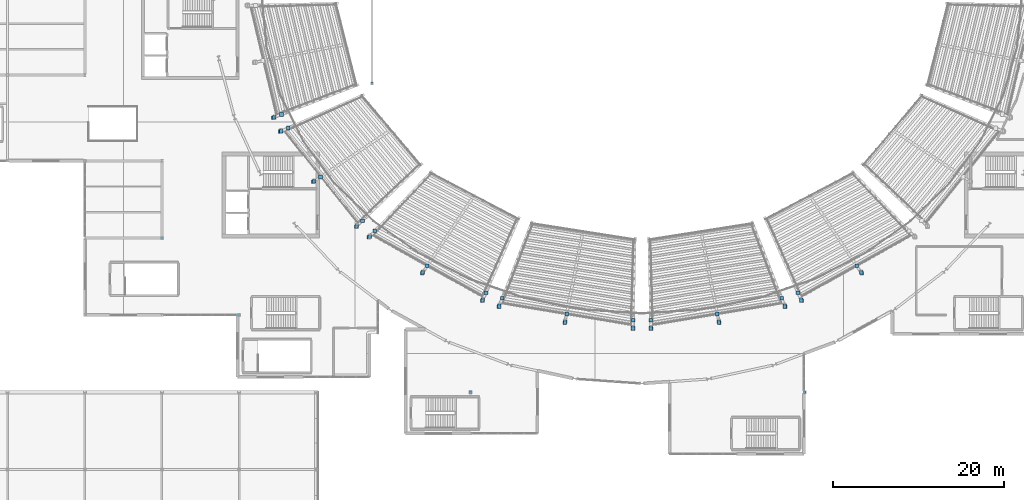
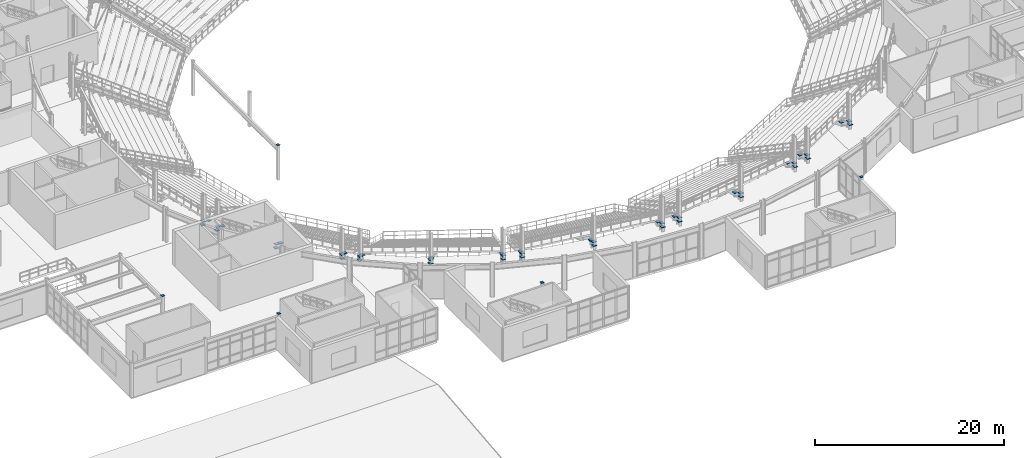
# One storey, part 64 of 81: 50 discrete accessories.
"""IFC4 building model written with IfcOpenShell, lengths in metres."""

from ifc_helpers import new_model, si_unit, direction, frame, origin, origin_2d, place, context, subcontext, project, spatial, rectangle, extrude, material, type_object, element, save


model = new_model("IFC4")

# Units and contexts
model_context = context("Model", 3, precision=1e-05, world=origin(), true_north=direction((0.0, 1.0)))
body_context = subcontext(model_context, "Body", "Model", "MODEL_VIEW")
ifc_project = project(units=[si_unit("LENGTHUNIT", "METRE"), si_unit("AREAUNIT", "SQUARE_METRE"), si_unit("VOLUMEUNIT", "CUBIC_METRE"), si_unit("PLANEANGLEUNIT", "RADIAN"), si_unit("MASSUNIT", "GRAM", prefix="KILO")], contexts=[model_context])

# Site, building, storey
site_placement = place(None, origin())
site = spatial("IfcSite", under=ifc_project, at=site_placement, CompositionType="ELEMENT")
building_placement = place(site_placement, origin())
building = spatial("IfcBuilding", under=site, at=building_placement, Name="Glasvene Arena", CompositionType="ELEMENT")
storey_placement = place(building_placement, frame((0.0, 0.0, 15.0)))
storey = spatial("IfcBuildingStorey", under=building, at=storey_placement, Name="L03", CompositionType="ELEMENT", Elevation=15.0)

# Discrete accessories
ifc_material = material(Name="Steel S355J2", Category="steel")
discrete_accessory_type_1 = type_object("IfcDiscreteAccessoryType", Name="ACC-BRACE-GP20", PredefinedType="BRACKET", material=ifc_material)
for number, where, z_axis, x_axis, name in (
    (1, (49.113037109375, 59.077392578125, 0.994140625), (0.0, 0.0, 1.0), (1.0, 0.0, 0.0), "Cast-in raker and haunch embed plate 09-3-1"),
    (2, (49.9521484375, 59.403076171875, 0.5888671875), (0.0, 0.0, 1.0), (1.0, 0.0, 0.0), "Cast-in raker and haunch embed plate 09-3-2"),
    (3, (49.001220703125, 59.0341796875, 0.5888671875), (0.0, 0.0, 1.0), (1.0, 0.0, 0.0), "Cast-in raker and haunch embed plate 09-3-3"),
    (4, (49.911865234375, 57.46337890625, 0.994140625), (0.0, 0.0, 1.0), (1.0, 0.0, 0.0), "Cast-in raker and haunch embed plate 10-1-1"),
    (5, (50.7353515625, 57.82666015625, 0.5888671875), (0.0, 0.0, 1.0), (1.0, 0.0, 0.0), "Cast-in raker and haunch embed plate 10-1-2"),
    (6, (49.802001953125, 57.4150390625, 0.5888671875), (0.0, 0.0, 1.0), (1.0, 0.0, 0.0), "Cast-in raker and haunch embed plate 10-1-3"),
    (7, (53.75244140625, 51.610595703125, 0.93408203125), (0.0, 0.0, 1.0), (1.0, 0.0, 0.0), "Cast-in raker and haunch embed plate 10-2-1"),
    (8, (54.500732421875, 52.110595703125, 0.52880859375), (0.0, 0.0, 1.0), (1.0, 0.0, 0.0), "Cast-in raker and haunch embed plate 10-2-2"),
    (9, (53.652587890625, 51.543701171875, 0.52880859375), (0.0, 0.0, 1.0), (1.0, 0.0, 0.0), "Cast-in raker and haunch embed plate 10-2-3"),
    (10, (58.743408203125, 46.40087890625, 0.994140625), (0.0, 0.0, 1.0), (1.0, 0.0, 0.0), "Cast-in raker and haunch embed plate 10-3-1"),
    (11, (59.394287109375, 47.022705078125, 0.5888671875), (0.0, 0.0, 1.0), (1.0, 0.0, 0.0), "Cast-in raker and haunch embed plate 10-3-2"),
    (12, (58.65673828125, 46.318115234375, 0.5888671875), (0.0, 0.0, 1.0), (1.0, 0.0, 0.0), "Cast-in raker and haunch embed plate 10-3-3"),
    (13, (60.219482421875, 45.165771484375, 0.994140625), (0.0, 0.0, 1.0), (1.0, 0.0, 0.0), "Cast-in raker and haunch embed plate 11-1-1"),
    (14, (60.84130859375, 45.81640625, 0.5888671875), (0.0, 0.0, 1.0), (1.0, 0.0, 0.0), "Cast-in raker and haunch embed plate 11-1-2"),
    (15, (60.136474609375, 45.0791015625, 0.5888671875), (0.0, 0.0, 1.0), (1.0, 0.0, 0.0), "Cast-in raker and haunch embed plate 11-1-3"),
    (16, (66.44384765625, 40.98828125, 0.93408203125), (0.0, 0.0, 1.0), (1.0, 0.0, 0.0), "Cast-in raker and haunch embed plate 11-2-1"),
    (17, (66.94384765625, 41.73681640625, 0.52880859375), (0.0, 0.0, 1.0), (1.0, 0.0, 0.0), "Cast-in raker and haunch embed plate 11-2-2"),
    (18, (66.377197265625, 40.888671875, 0.52880859375), (0.0, 0.0, 1.0), (1.0, 0.0, 0.0), "Cast-in raker and haunch embed plate 11-2-3"),
    (19, (73.43701171875, 37.774169921875, 0.994140625), (0.0, 0.0, 1.0), (1.0, 0.0, 0.0), "Cast-in raker and haunch embed plate 11-3-1"),
    (20, (73.800048828125, 38.59765625, 0.5888671875), (0.0, 0.0, 1.0), (1.0, 0.0, 0.0), "Cast-in raker and haunch embed plate 11-3-2"),
    (21, (73.388427734375, 37.664306640625, 0.5888671875), (0.0, 0.0, 1.0), (1.0, 0.0, 0.0), "Cast-in raker and haunch embed plate 11-3-3"),
    (22, (75.365234375, 37.10546875, 0.994140625), (0.0, 0.0, 1.0), (1.0, 0.0, 0.0), "Cast-in raker and haunch embed plate 12-1-1"),
    (23, (75.69091796875, 37.944580078125, 0.5888671875), (0.0, 0.0, 1.0), (1.0, 0.0, 0.0), "Cast-in raker and haunch embed plate 12-1-2"),
    (24, (75.322021484375, 36.99365234375, 0.5888671875), (0.0, 0.0, 1.0), (1.0, 0.0, 0.0), "Cast-in raker and haunch embed plate 12-1-3"),
    (25, (83.02587890625, 35.23974609375, 0.93408203125), (0.0, 0.0, 1.0), (1.0, 0.0, 0.0), "Cast-in raker and haunch embed plate 12-2-1"),
    (26, (83.201416015625, 36.12255859375, 0.52880859375), (0.0, 0.0, 1.0), (1.0, 0.0, 0.0), "Cast-in raker and haunch embed plate 12-2-2"),
    (27, (83.00244140625, 35.1220703125, 0.52880859375), (0.0, 0.0, 1.0), (1.0, 0.0, 0.0), "Cast-in raker and haunch embed plate 12-2-3"),
    (28, (90.956298828125, 34.510009765625, 0.994140625), (0.0, 0.0, 1.0), (1.0, 0.0, 0.0), "Cast-in raker and haunch embed plate 12-3-1"),
    (29, (90.976806640625, 35.40966796875, 0.5888671875), (0.0, 0.0, 1.0), (1.0, 0.0, 0.0), "Cast-in raker and haunch embed plate 12-3-2"),
    (30, (90.95361328125, 34.389892578125, 0.5888671875), (0.0, 0.0, 1.0), (1.0, 0.0, 0.0), "Cast-in raker and haunch embed plate 12-3-3"),
    (31, (93.043701171875, 34.510009765625, 0.994140625), (0.0, 0.0, 1.0), (1.0, 0.0, 0.0), "Cast-in raker and haunch embed plate 13-1-1"),
    (32, (93.023193359375, 35.40966796875, 0.5888671875), (0.0, 0.0, 1.0), (1.0, 0.0, 0.0), "Cast-in raker and haunch embed plate 13-1-2"),
    (33, (93.04638671875, 34.389892578125, 0.5888671875), (0.0, 0.0, 1.0), (1.0, 0.0, 0.0), "Cast-in raker and haunch embed plate 13-1-3"),
    (34, (100.97412109375, 35.23974609375, 0.93408203125), (0.0, 0.0, 1.0), (1.0, 0.0, 0.0), "Cast-in raker and haunch embed plate 13-2-1"),
    (35, (100.798583984375, 36.12255859375, 0.52880859375), (0.0, 0.0, 1.0), (1.0, 0.0, 0.0), "Cast-in raker and haunch embed plate 13-2-2"),
    (36, (100.99755859375, 35.1220703125, 0.52880859375), (0.0, 0.0, 1.0), (1.0, 0.0, 0.0), "Cast-in raker and haunch embed plate 13-2-3"),
    (37, (108.634765625, 37.10546875, 0.994140625), (0.0, 0.0, 1.0), (1.0, 0.0, 0.0), "Cast-in raker and haunch embed plate 13-3-1"),
    (38, (108.30908203125, 37.944580078125, 0.5888671875), (0.0, 0.0, 1.0), (1.0, 0.0, 0.0), "Cast-in raker and haunch embed plate 13-3-2"),
    (39, (108.677978515625, 36.99365234375, 0.5888671875), (0.0, 0.0, 1.0), (1.0, 0.0, 0.0), "Cast-in raker and haunch embed plate 13-3-3"),
    (40, (110.56298828125, 37.774169921875, 0.994140625), (0.0, 0.0, 1.0), (1.0, 0.0, 0.0), "Cast-in raker and haunch embed plate 14-1-1"),
    (41, (110.199951171875, 38.59765625, 0.5888671875), (0.0, 0.0, 1.0), (1.0, 0.0, 0.0), "Cast-in raker and haunch embed plate 14-1-2"),
    (42, (110.611572265625, 37.664306640625, 0.5888671875), (0.0, 0.0, 1.0), (1.0, 0.0, 0.0), "Cast-in raker and haunch embed plate 14-1-3"),
    (43, (117.55615234375, 40.98828125, 0.93408203125), (0.0, 0.0, 1.0), (1.0, 0.0, 0.0), "Cast-in raker and haunch embed plate 14-2-1"),
    (44, (117.05615234375, 41.73681640625, 0.52880859375), (0.0, 0.0, 1.0), (1.0, 0.0, 0.0), "Cast-in raker and haunch embed plate 14-2-2"),
    (45, (117.622802734375, 40.888671875, 0.52880859375), (0.0, 0.0, 1.0), (1.0, 0.0, 0.0), "Cast-in raker and haunch embed plate 14-2-3"),
):
    element("IfcDiscreteAccessory", number, at=place(storey_placement, frame(where, z_axis=z_axis, x_axis=x_axis)), inside=storey, type_object=discrete_accessory_type_1, Name=name, PredefinedType="BRACKET", context=body_context, shape_type="SweptSolid", body=[
        extrude(rectangle(XDim=0.419921875, YDim=0.419921875, at=origin_2d()), origin(), (0.0, 0.0, 1.0), 0.031982421875),
    ])
discrete_accessory_type_2 = type_object("IfcDiscreteAccessoryType", Name="ACC-CAP-SHS320", PredefinedType="USERDEFINED", material=ifc_material)
for number, where, z_axis, x_axis, name in (
    (46, (36.0, 45.0, 4.498046875), (0.0, 0.0, 1.0), (1.0, 0.0, 0.0), "Hollow column top cap plate 5-6 L03"),
    (47, (45.0, 36.0, 4.498046875), (0.0, 0.0, 1.0), (1.0, 0.0, 0.0), "Hollow column top cap plate 6-5 L03"),
    (48, (72.0, 27.0, 4.498046875), (0.0, 0.0, 1.0), (1.0, 0.0, 0.0), "Hollow column top cap plate 9-4 L03"),
    (49, (111.0, 27.0, 4.498046875), (0.0, 0.0, 1.0), (1.0, 0.0, 0.0), "Hollow column top cap plate 13-4 L03"),
    (50, (60.5, 63.0, 4.498046875), (0.0, 0.0, 1.0), (1.0, 0.0, 0.0), "Hollow column top cap plate S33-1"),
):
    element("IfcDiscreteAccessory", number, at=place(storey_placement, frame(where, z_axis=z_axis, x_axis=x_axis)), inside=storey, type_object=discrete_accessory_type_2, Name=name, ObjectType="CAP PLATE", PredefinedType="USERDEFINED", context=body_context, shape_type="SweptSolid", body=[
        extrude(rectangle(XDim=0.320068359375, YDim=0.320068359375, at=origin_2d()), origin(), (0.0, 0.0, 1.0), 0.02001953125),
    ])

save(model, "model.ifc")
